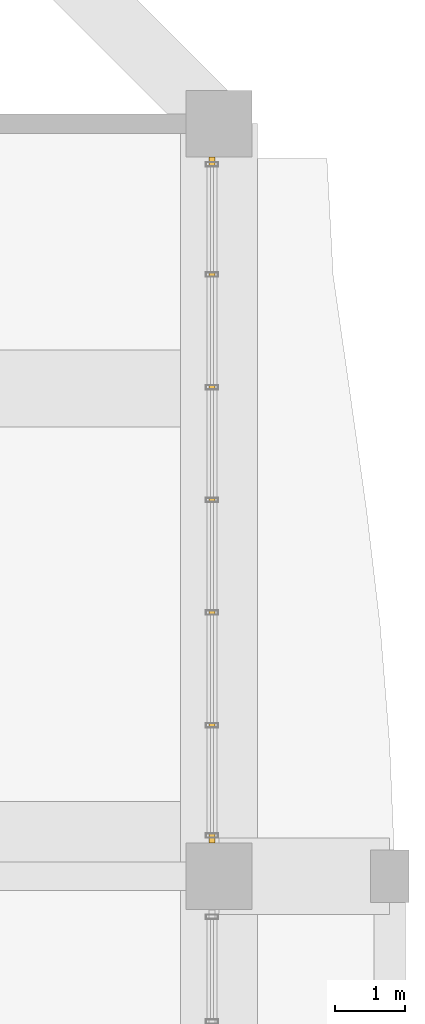
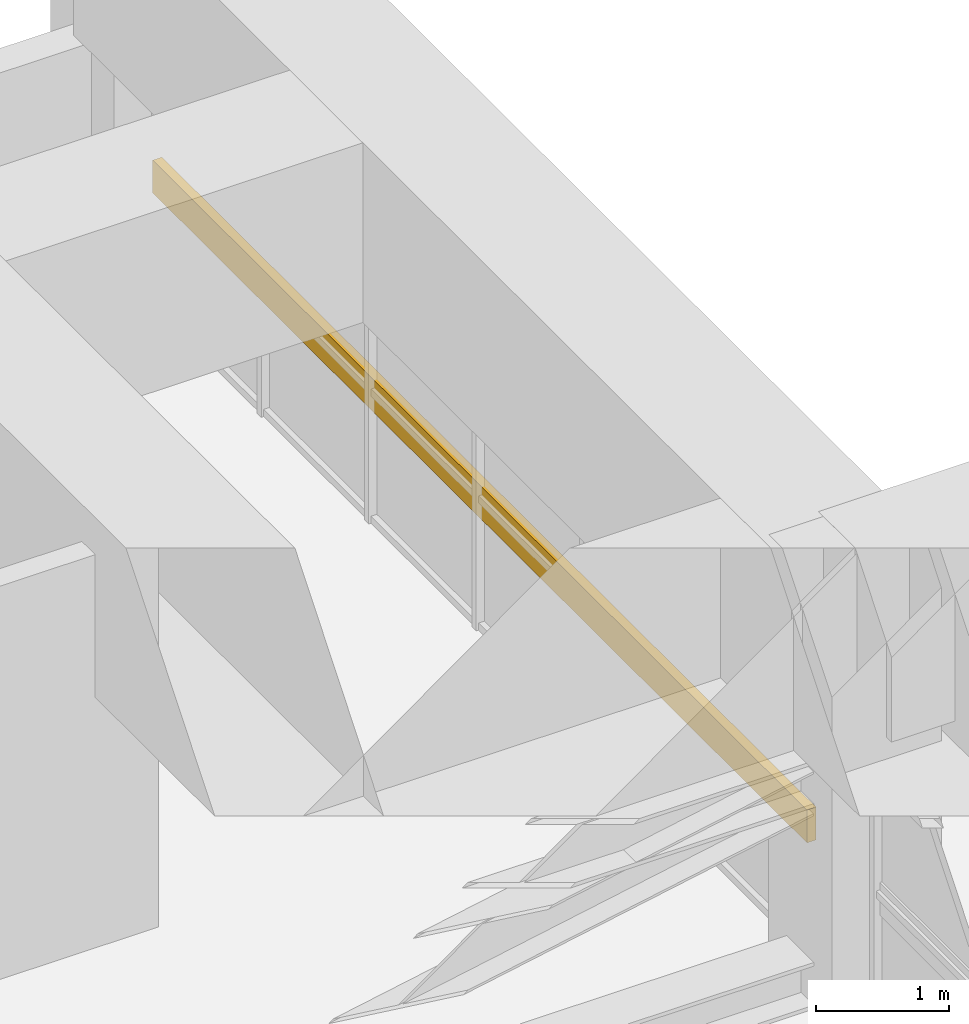
# One storey, part 35 of 35: 1 shading device.
"""IFC4 building model written with IfcOpenShell, lengths in metres."""

from ifc_helpers import new_model, si_unit, direction, frame, origin, origin_2d, place, context, subcontext, project, spatial, rectangle, extrude, source, transform, mapped, material, material_profile, profile_set, type_object, element, save


model = new_model("IFC4")

# Units and contexts
model_context = context("Model", 3, precision=1e-05, world=origin(), true_north=direction((0.0, 1.0)))
body_context = subcontext(model_context, "Body", "Model", "MODEL_VIEW")
ifc_project = project(units=[si_unit("LENGTHUNIT", "METRE"), si_unit("AREAUNIT", "SQUARE_METRE"), si_unit("VOLUMEUNIT", "CUBIC_METRE"), si_unit("PLANEANGLEUNIT", "RADIAN"), si_unit("MASSUNIT", "GRAM", prefix="KILO")], contexts=[model_context])

# Site, building, storey
site_placement = place(None, origin())
site = spatial("IfcSite", under=ifc_project, at=site_placement, CompositionType="ELEMENT")
building_placement = place(site_placement, origin())
building = spatial("IfcBuilding", under=site, at=building_placement, Name="Saelheon Loggia Tower", CompositionType="ELEMENT")
storey_placement = place(building_placement, frame((0.0, 0.0, 144.75)))
storey = spatial("IfcBuildingStorey", under=building, at=storey_placement, Name="L46", CompositionType="ELEMENT", Elevation=144.75)

# Shading device
ifc_material = material(Name="Bronze-Anodised Aluminium 6063-T6", Category="aluminium")
ifc_material_profile = material_profile(ifc_material, rectangle(XDim=0.080078125, YDim=0.300048828125, at=origin_2d()), Name="Louvre_Refuge_LV_RF1")
ifc_profile_set = profile_set([ifc_material_profile], Name="Bronze-Anodised Aluminium 6063-T6")
shading_device_type = type_object("IfcShadingDeviceType", Name="Louvre_Refuge_LV_RF1", PredefinedType="JALOUSIE", material=ifc_profile_set)
shared_shape = source(origin(), body_context, "Body", "SweptSolid", [
    extrude(rectangle(XDim=0.080078125, YDim=0.300048828125, at=origin_2d()), origin(), (0.0, 0.0, 1.0), 9.840087890625),
])
shading_device_placement = place(storey_placement, frame((63.89990234375, 36.47998046875, 1.14990234375), z_axis=(0.0, 1.0, 0.0), x_axis=(-1.0, 0.0, 0.0)))
element("IfcShadingDevice", 1, at=shading_device_placement, inside=storey, type_object=shading_device_type, Name="L46 Refuge Acoustic Louvre Blade", PredefinedType="JALOUSIE", context=body_context, shape_type="MappedRepresentation", body=[
    mapped(shared_shape, transform((0.0, 0.0, 0.0), scale=1.0)),
])

save(model, "model.ifc")
